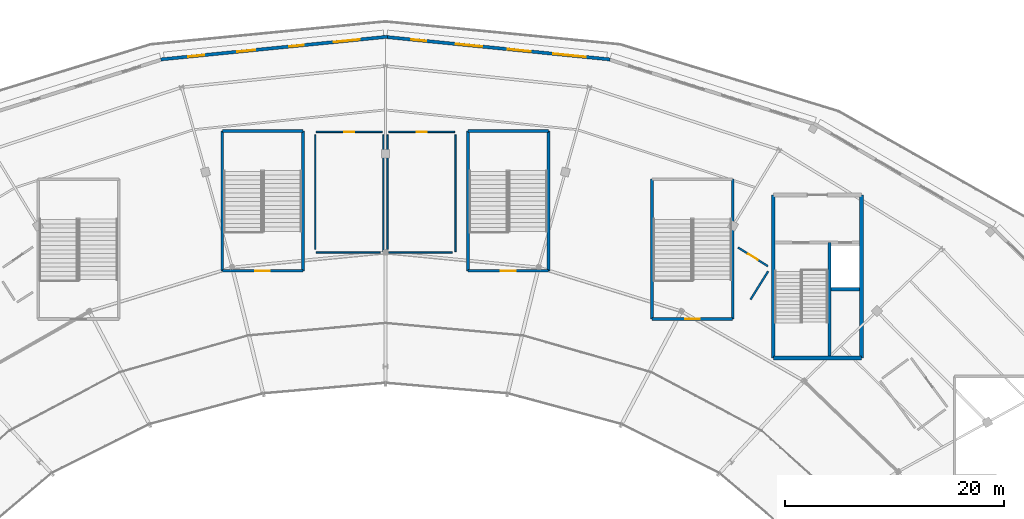
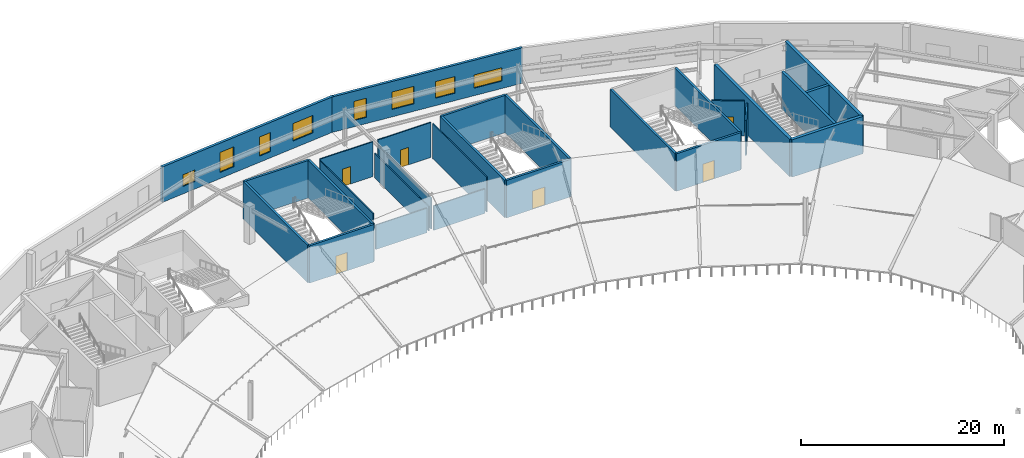
# One storey, part 38 of 63: 28 walls, 8 windows, 6 doors, 14 openings.
"""IFC4 building model written with IfcOpenShell, lengths in metres."""

from ifc_helpers import new_model, si_unit, direction, frame, frame_2d, origin, place, context, subcontext, project, spatial, rectangle, extrude, material, layer, layer_set, type_object, element, fill, save


model = new_model("IFC4")

# Units and contexts
model_context = context("Model", 3, precision=1e-05, world=origin(), true_north=direction((0.0, 1.0)))
body_context = subcontext(model_context, "Body", "Model", "MODEL_VIEW")
ifc_project = project(units=[si_unit("LENGTHUNIT", "METRE"), si_unit("AREAUNIT", "SQUARE_METRE"), si_unit("VOLUMEUNIT", "CUBIC_METRE"), si_unit("PLANEANGLEUNIT", "RADIAN"), si_unit("MASSUNIT", "GRAM", prefix="KILO")], contexts=[model_context])

# Site, building, storey
site_placement = place(None, origin())
site = spatial("IfcSite", under=ifc_project, at=site_placement, CompositionType="ELEMENT")
building_placement = place(site_placement, origin())
building = spatial("IfcBuilding", under=site, at=building_placement, Name="Kalgoora Escarpment Arena", CompositionType="ELEMENT")
storey_placement = place(building_placement, frame((0.0, 0.0, 14.39990234375)))
storey = spatial("IfcBuildingStorey", under=building, at=storey_placement, Name="L03", CompositionType="ELEMENT", Elevation=14.39990234375)

# Walls
ifc_material_1 = material(Name="Concrete N50 (fc' 50 MPa)", Category="concrete")
ifc_layer_1 = layer(ifc_material_1, 0.35009765625)
ifc_layer_set_1 = layer_set([ifc_layer_1], Name="WAL-CORE-350")
wall_type_1 = type_object("IfcWallType", Name="WAL-CORE-350", PredefinedType="SHEAR", material=ifc_layer_set_1)
wall_1_placement = place(storey_placement, frame((127.77490234375, 94.375, 0.0), z_axis=(0.0, 0.0, 1.0), x_axis=(1.0, 0.0, 0.0)))
element("IfcWall", 1, at=wall_1_placement, inside=storey, type_object=wall_type_1, Name="Core C4 L03 south shear wall", PredefinedType="SHEAR", context=body_context, shape_type="SweptSolid", body=[
    extrude(rectangle(XDim=8.050048828125, YDim=0.35009765625, at=frame_2d((4.02490234375, 0.0))), origin(), (0.0, 0.0, 1.0), 4.5),
])
for number, where, z_axis, x_axis, name in (
    (2, (127.77490234375, 94.375, 0.0), (0.0, 0.0, 1.0), (0.0, 1.0, 0.0), "Core C4 L03 west shear wall"),
    (3, (135.824951171875, 94.375, 0.0), (0.0, 0.0, 1.0), (0.0, 1.0, 0.0), "Core C4 L03 east shear wall"),
):
    element("IfcWall", number, at=place(storey_placement, frame(where, z_axis=z_axis, x_axis=x_axis)), inside=storey, type_object=wall_type_1, Name=name, PredefinedType="SHEAR", context=body_context, shape_type="SweptSolid", body=[
        extrude(rectangle(XDim=14.85009765625, YDim=0.35009765625, at=frame_2d((7.425048828125, 0.0))), origin(), (0.0, 0.0, 1.0), 4.5),
    ])

# Wall, openings, windows
ifc_material_2 = material(Name="Upper concourse insulated spandrel wall 40 MPa", Category="concrete")
ifc_layer_2 = layer(ifc_material_2, 0.2900390625)
ifc_layer_set_2 = layer_set([ifc_layer_2], Name="WAL-EXT-290")
wall_type_2 = type_object("IfcWallType", Name="WAL-EXT-290", PredefinedType="SOLIDWALL", material=ifc_layer_set_2)
wall_2_placement = place(storey_placement, frame((71.90380859375, 121.601318359375, 0.0), z_axis=(0.0, 0.0, 1.0), x_axis=(0.995020542998, 0.099670050731, 0.0)))
wall_2 = element("IfcWall", 4, at=wall_2_placement, inside=storey, type_object=wall_type_2, Name="L03 limestone-faced external wall 059", PredefinedType="SOLIDWALL", context=body_context, shape_type="SweptSolid", body=[
    extrude(rectangle(XDim=20.781494140625, YDim=0.2900390625, at=frame_2d((10.390625, 0.0))), origin(), (0.0, 0.0, 1.0), 4.260009765625),
])
opening_1_placement = place(wall_2_placement, frame((2.52490234375, 0.0, 0.89990234375)))
opening_1 = element("IfcOpeningElement", 5, at=opening_1_placement, cuts=wall_2, Name="Opening W-20", PredefinedType="OPENING", context=body_context, shape_type="SweptSolid", body=[
    extrude(rectangle(XDim=1.449951171875, YDim=1.39990234375, at=frame_2d((0.72509765625, 0.699951171875))), frame((0.0, 0.155029296875, 0.0), z_axis=(0.0, -1.0, 0.0), x_axis=(1.0, 0.0, 0.0)), (0.0, 0.0, 1.0), 0.31005859375),
])
opening_2_placement = place(wall_2_placement, frame((7.02490234375, 0.0, 0.75)))
opening_2 = element("IfcOpeningElement", 6, at=opening_2_placement, cuts=wall_2, Name="Opening W-02", PredefinedType="OPENING", context=body_context, shape_type="SweptSolid", body=[
    extrude(rectangle(XDim=1.64990234375, YDim=2.39990234375, at=frame_2d((0.824951171875, 1.199951171875))), frame((0.0, 0.155029296875, 0.0), z_axis=(0.0, -1.0, 0.0), x_axis=(1.0, 0.0, 0.0)), (0.0, 0.0, 1.0), 0.31005859375),
])
opening_3_placement = place(wall_2_placement, frame((11.77490234375, 0.0, 0.75)))
opening_3 = element("IfcOpeningElement", 7, at=opening_3_placement, cuts=wall_2, Name="Opening W-04", PredefinedType="OPENING", context=body_context, shape_type="SweptSolid", body=[
    extrude(rectangle(XDim=1.35009765625, YDim=2.300048828125, at=frame_2d((0.675048828125, 1.14990234375))), frame((0.0, 0.155029296875, 0.0), z_axis=(0.0, -1.0, 0.0), x_axis=(1.0, 0.0, 0.0)), (0.0, 0.0, 1.0), 0.31005859375),
])
opening_4_placement = place(wall_2_placement, frame((15.85009765625, 0.0, 0.89990234375)))
opening_4 = element("IfcOpeningElement", 8, at=opening_4_placement, cuts=wall_2, Name="Opening W-06", PredefinedType="OPENING", context=body_context, shape_type="SweptSolid", body=[
    extrude(rectangle(XDim=2.39990234375, YDim=2.10009765625, at=frame_2d((1.199951171875, 1.050048828125))), frame((0.0, 0.155029296875, 0.0), z_axis=(0.0, -1.0, 0.0), x_axis=(1.0, 0.0, 0.0)), (0.0, 0.0, 1.0), 0.31005859375),
])
ifc_material_3 = material(Name="Low-E solar-control double glazing in champagne frame", Category="glass")
window_type_1 = type_object("IfcWindowType", Name="WIN-BOH-1450x1400", PartitioningType="SINGLE_PANEL", PredefinedType="WINDOW", material=ifc_material_3)
window_1_placement = place(opening_1_placement, origin())
window_1 = element("IfcWindow", 9, at=window_1_placement, inside=storey, type_object=window_type_1, Name="L03 scheduled facade window 080", OverallHeight=1.39990234375, OverallWidth=1.449951171875, PartitioningType="SINGLE_PANEL", PredefinedType="WINDOW", context=body_context, shape_type="SweptSolid", body=[
    extrude(rectangle(XDim=1.449951171875, YDim=1.39990234375, at=frame_2d((0.72509765625, 0.699951171875))), frame((0.0, 0.030029296875, 0.0), z_axis=(0.0, -1.0, 0.0), x_axis=(1.0, 0.0, 0.0)), (0.0, 0.0, 1.0), 0.06005859375),
])
fill(opening_1, window_1)
ifc_material_4 = material(Name="Low-E solar-control double glazing in champagne frame", Category="glass")
window_type_2 = type_object("IfcWindowType", Name="WIN-DECO-1350x2300", PartitioningType="SINGLE_PANEL", PredefinedType="WINDOW", material=ifc_material_4)
window_2_placement = place(opening_3_placement, origin())
window_2 = element("IfcWindow", 10, at=window_2_placement, inside=storey, type_object=window_type_2, Name="L03 scheduled facade window 082", OverallHeight=2.300048828125, OverallWidth=1.35009765625, PartitioningType="SINGLE_PANEL", PredefinedType="WINDOW", context=body_context, shape_type="SweptSolid", body=[
    extrude(rectangle(XDim=1.35009765625, YDim=2.300048828125, at=frame_2d((0.675048828125, 1.14990234375))), frame((0.0, 0.030029296875, 0.0), z_axis=(0.0, -1.0, 0.0), x_axis=(1.0, 0.0, 0.0)), (0.0, 0.0, 1.0), 0.06005859375),
])
fill(opening_3, window_2)
ifc_material_5 = material(Name="Low-E solar-control double glazing in champagne frame", Category="glass")
window_type_3 = type_object("IfcWindowType", Name="WIN-DECO-1650x2400", PartitioningType="SINGLE_PANEL", PredefinedType="WINDOW", material=ifc_material_5)
window_3_placement = place(opening_2_placement, origin())
window_3 = element("IfcWindow", 11, at=window_3_placement, inside=storey, type_object=window_type_3, Name="L03 scheduled facade window 081", OverallHeight=2.39990234375, OverallWidth=1.64990234375, PartitioningType="SINGLE_PANEL", PredefinedType="WINDOW", context=body_context, shape_type="SweptSolid", body=[
    extrude(rectangle(XDim=1.64990234375, YDim=2.39990234375, at=frame_2d((0.824951171875, 1.199951171875))), frame((0.0, 0.030029296875, 0.0), z_axis=(0.0, -1.0, 0.0), x_axis=(1.0, 0.0, 0.0)), (0.0, 0.0, 1.0), 0.06005859375),
])
fill(opening_2, window_3)
ifc_material_6 = material(Name="Low-E solar-control double glazing in champagne frame", Category="glass")
window_type_4 = type_object("IfcWindowType", Name="WIN-DECO-2400x2100", PartitioningType="SINGLE_PANEL", PredefinedType="WINDOW", material=ifc_material_6)
window_4_placement = place(opening_4_placement, origin())
window_4 = element("IfcWindow", 12, at=window_4_placement, inside=storey, type_object=window_type_4, Name="L03 scheduled facade window 083", OverallHeight=2.10009765625, OverallWidth=2.39990234375, PartitioningType="SINGLE_PANEL", PredefinedType="WINDOW", context=body_context, shape_type="SweptSolid", body=[
    extrude(rectangle(XDim=2.39990234375, YDim=2.10009765625, at=frame_2d((1.199951171875, 1.050048828125))), frame((0.0, 0.030029296875, 0.0), z_axis=(0.0, -1.0, 0.0), x_axis=(1.0, 0.0, 0.0)), (0.0, 0.0, 1.0), 0.06005859375),
])
fill(opening_4, window_4)

wall_3_placement = place(storey_placement, frame((92.21826171875, 123.672607421875, 0.0), z_axis=(0.0, 0.0, 1.0), x_axis=(0.995020426289, -0.099671215838, 0.0)))
wall_3 = element("IfcWall", 13, at=wall_3_placement, inside=storey, type_object=wall_type_2, Name="L03 limestone-faced external wall 060", PredefinedType="SOLIDWALL", context=body_context, shape_type="SweptSolid", body=[
    extrude(rectangle(XDim=20.78125, YDim=0.2900390625, at=frame_2d((10.390625, 0.0))), origin(), (0.0, 0.0, 1.0), 4.260009765625),
])
opening_5_placement = place(wall_3_placement, frame((2.574951171875, 0.0, 0.75)))
opening_5 = element("IfcOpeningElement", 14, at=opening_5_placement, cuts=wall_3, Name="Opening W-04", PredefinedType="OPENING", context=body_context, shape_type="SweptSolid", body=[
    extrude(rectangle(XDim=1.35009765625, YDim=2.300048828125, at=frame_2d((0.675048828125, 1.14990234375))), frame((0.0, 0.155029296875, 0.0), z_axis=(0.0, -1.0, 0.0), x_axis=(1.0, 0.0, 0.0)), (0.0, 0.0, 1.0), 0.31005859375),
])
opening_6_placement = place(wall_3_placement, frame((6.64990234375, 0.0, 0.89990234375)))
opening_6 = element("IfcOpeningElement", 15, at=opening_6_placement, cuts=wall_3, Name="Opening W-06", PredefinedType="OPENING", context=body_context, shape_type="SweptSolid", body=[
    extrude(rectangle(XDim=2.39990234375, YDim=2.10009765625, at=frame_2d((1.199951171875, 1.050048828125))), frame((0.0, 0.155029296875, 0.0), z_axis=(0.0, -1.0, 0.0), x_axis=(1.0, 0.0, 0.0)), (0.0, 0.0, 1.0), 0.31005859375),
])
opening_7_placement = place(wall_3_placement, frame((11.39990234375, 0.0, 0.89990234375)))
opening_7 = element("IfcOpeningElement", 16, at=opening_7_placement, cuts=wall_3, Name="Opening W-08", PredefinedType="OPENING", context=body_context, shape_type="SweptSolid", body=[
    extrude(rectangle(XDim=2.10009765625, YDim=2.0, at=frame_2d((1.050048828125, 1.0))), frame((0.0, 0.155029296875, 0.0), z_axis=(0.0, -1.0, 0.0), x_axis=(1.0, 0.0, 0.0)), (0.0, 0.0, 1.0), 0.31005859375),
])
opening_8_placement = place(wall_3_placement, frame((15.550048828125, 0.0, 0.89990234375)))
opening_8 = element("IfcOpeningElement", 17, at=opening_8_placement, cuts=wall_3, Name="Opening W-10", PredefinedType="OPENING", context=body_context, shape_type="SweptSolid", body=[
    extrude(rectangle(XDim=3.0, YDim=1.60009765625, at=frame_2d((1.5, 0.800048828125))), frame((0.0, 0.155029296875, 0.0), z_axis=(0.0, -1.0, 0.0), x_axis=(1.0, 0.0, 0.0)), (0.0, 0.0, 1.0), 0.31005859375),
])
ifc_material_7 = material(Name="Low-E solar-control double glazing in champagne frame", Category="glass")
window_type_5 = type_object("IfcWindowType", Name="WIN-BAND-3000x1600", PartitioningType="SINGLE_PANEL", PredefinedType="WINDOW", material=ifc_material_7)
window_5_placement = place(opening_8_placement, origin())
window_5 = element("IfcWindow", 18, at=window_5_placement, inside=storey, type_object=window_type_5, Name="L03 scheduled facade window 087", OverallHeight=1.60009765625, OverallWidth=3.0, PartitioningType="SINGLE_PANEL", PredefinedType="WINDOW", context=body_context, shape_type="SweptSolid", body=[
    extrude(rectangle(XDim=3.0, YDim=1.60009765625, at=frame_2d((1.5, 0.800048828125))), frame((0.0, 0.030029296875, 0.0), z_axis=(0.0, -1.0, 0.0), x_axis=(1.0, 0.0, 0.0)), (0.0, 0.0, 1.0), 0.06005859375),
])
fill(opening_8, window_5)
window_6_placement = place(opening_5_placement, origin())
window_6 = element("IfcWindow", 19, at=window_6_placement, inside=storey, type_object=window_type_2, Name="L03 scheduled facade window 084", OverallHeight=2.300048828125, OverallWidth=1.35009765625, PartitioningType="SINGLE_PANEL", PredefinedType="WINDOW", context=body_context, shape_type="SweptSolid", body=[
    extrude(rectangle(XDim=1.35009765625, YDim=2.300048828125, at=frame_2d((0.675048828125, 1.14990234375))), frame((0.0, 0.030029296875, 0.0), z_axis=(0.0, -1.0, 0.0), x_axis=(1.0, 0.0, 0.0)), (0.0, 0.0, 1.0), 0.06005859375),
])
fill(opening_5, window_6)
ifc_material_8 = material(Name="Low-E solar-control double glazing in champagne frame", Category="glass")
window_type_6 = type_object("IfcWindowType", Name="WIN-DECO-2100x2000", PartitioningType="SINGLE_PANEL", PredefinedType="WINDOW", material=ifc_material_8)
window_7_placement = place(opening_7_placement, origin())
window_7 = element("IfcWindow", 20, at=window_7_placement, inside=storey, type_object=window_type_6, Name="L03 scheduled facade window 086", OverallHeight=2.0, OverallWidth=2.10009765625, PartitioningType="SINGLE_PANEL", PredefinedType="WINDOW", context=body_context, shape_type="SweptSolid", body=[
    extrude(rectangle(XDim=2.10009765625, YDim=2.0, at=frame_2d((1.050048828125, 1.0))), frame((0.0, 0.030029296875, 0.0), z_axis=(0.0, -1.0, 0.0), x_axis=(1.0, 0.0, 0.0)), (0.0, 0.0, 1.0), 0.06005859375),
])
fill(opening_7, window_7)
window_8_placement = place(opening_6_placement, origin())
window_8 = element("IfcWindow", 21, at=window_8_placement, inside=storey, type_object=window_type_4, Name="L03 scheduled facade window 085", OverallHeight=2.10009765625, OverallWidth=2.39990234375, PartitioningType="SINGLE_PANEL", PredefinedType="WINDOW", context=body_context, shape_type="SweptSolid", body=[
    extrude(rectangle(XDim=2.39990234375, YDim=2.10009765625, at=frame_2d((1.199951171875, 1.050048828125))), frame((0.0, 0.030029296875, 0.0), z_axis=(0.0, -1.0, 0.0), x_axis=(1.0, 0.0, 0.0)), (0.0, 0.0, 1.0), 0.06005859375),
])
fill(opening_6, window_8)

# Walls
ifc_material_9 = material(Name="Concrete N50 (fc' 50 MPa)", Category="concrete")
ifc_layer_3 = layer(ifc_material_9, 0.300048828125)
ifc_layer_set_3 = layer_set([ifc_layer_3], Name="WAL-SHAFT-300")
wall_type_3 = type_object("IfcWallType", Name="WAL-SHAFT-300", PredefinedType="SHEAR", material=ifc_layer_set_3)
wall_4_placement = place(storey_placement, frame((132.89990234375, 94.550048828125, 0.0), z_axis=(0.0, 0.0, 1.0), x_axis=(0.0, 1.0, 0.0)))
element("IfcWall", 22, at=wall_4_placement, inside=storey, type_object=wall_type_3, Name="Core C4 L03 stair-lift spine wall", PredefinedType="SHEAR", context=body_context, shape_type="SweptSolid", body=[
    extrude(rectangle(XDim=10.349853515625, YDim=0.300048828125, at=frame_2d((5.1748046875, 0.0))), origin(), (0.0, 0.0, 1.0), 4.5),
])
wall_5_placement = place(storey_placement, frame((133.050048828125, 100.64990234375, 0.0), z_axis=(0.0, 0.0, 1.0), x_axis=(1.0, 0.0, 0.0)))
element("IfcWall", 23, at=wall_5_placement, inside=storey, type_object=wall_type_3, Name="Core C4 L03 lift-riser divider wall", PredefinedType="SHEAR", context=body_context, shape_type="SweptSolid", body=[
    extrude(rectangle(XDim=2.599853515625, YDim=0.300048828125, at=frame_2d((1.2998046875, 0.0))), origin(), (0.0, 0.0, 1.0), 4.5),
])

# Wall, opening, door
ifc_material_10 = material(Name="Concrete N50 (fc' 50 MPa)", Category="concrete")
ifc_layer_4 = layer(ifc_material_10, 0.25)
ifc_layer_set_4 = layer_set([ifc_layer_4], Name="WAL-STAIR-250")
wall_type_4 = type_object("IfcWallType", Name="WAL-STAIR-250", PredefinedType="SHEAR", material=ifc_layer_set_4)
wall_6_placement = place(storey_placement, frame((77.52490234375, 102.324951171875, 0.0), z_axis=(0.0, 0.0, 1.0), x_axis=(1.0, 0.0, 0.0)))
wall_6 = element("IfcWall", 24, at=wall_6_placement, inside=storey, type_object=wall_type_4, Name="Exit stair ST10 L03 south wall", PredefinedType="SHEAR", context=body_context, shape_type="SweptSolid", body=[
    extrude(rectangle(XDim=7.35009765625, YDim=0.25, at=frame_2d((3.675048828125, 0.0))), origin(), (0.0, 0.0, 1.0), 4.5),
])
opening_9_placement = place(wall_6_placement, frame((3.014892578125, 0.0, 0.0)))
opening_9 = element("IfcOpeningElement", 25, at=opening_9_placement, cuts=wall_6, Name="Opening FD-ST10", PredefinedType="OPENING", context=body_context, shape_type="SweptSolid", body=[
    extrude(rectangle(XDim=1.320068359375, YDim=2.199951171875, at=frame_2d((0.66015625, 1.10009765625))), frame((0.0, 0.135009765625, 0.0), z_axis=(0.0, -1.0, 0.0), x_axis=(1.0, 0.0, 0.0)), (0.0, 0.0, 1.0), 0.27001953125),
])
ifc_material_11 = material(Name="Fire-rated steel stair leaf with vision panel", Category="steel")
door_type_1 = type_object("IfcDoorType", Name="DR-STAIR-1320", OperationType="NOTDEFINED", PredefinedType="DOOR", material=ifc_material_11)
door_1_placement = place(opening_9_placement, origin())
door_1 = element("IfcDoor", 26, at=door_1_placement, inside=storey, type_object=door_type_1, Name="Fire-isolated stair ST10 L03 egress door", OperationType="SINGLE_SWING_LEFT", OverallHeight=2.199951171875, OverallWidth=1.320068359375, PredefinedType="DOOR", context=body_context, shape_type="SweptSolid", body=[
    extrude(rectangle(XDim=1.320068359375, YDim=2.199951171875, at=frame_2d((0.66015625, 1.10009765625))), frame((0.0, 0.02490234375, 0.0), z_axis=(0.0, -1.0, 0.0), x_axis=(1.0, 0.0, 0.0)), (0.0, 0.0, 1.0), 0.050048828125),
])
fill(opening_9, door_1)

# Walls
wall_7_placement = place(storey_placement, frame((77.52490234375, 115.074951171875, 0.0), z_axis=(0.0, 0.0, 1.0), x_axis=(1.0, 0.0, 0.0)))
element("IfcWall", 27, at=wall_7_placement, inside=storey, type_object=wall_type_4, Name="Exit stair ST10 L03 north wall", PredefinedType="SHEAR", context=body_context, shape_type="SweptSolid", body=[
    extrude(rectangle(XDim=7.35009765625, YDim=0.25, at=frame_2d((3.675048828125, 0.0))), origin(), (0.0, 0.0, 1.0), 4.5),
])
for number, where, z_axis, x_axis, name in (
    (28, (77.52490234375, 102.324951171875, 0.0), (0.0, 0.0, 1.0), (0.0, 1.0, 0.0), "Exit stair ST10 L03 west wall"),
    (29, (84.875, 102.324951171875, 0.0), (0.0, 0.0, 1.0), (0.0, 1.0, 0.0), "Exit stair ST10 L03 east wall"),
):
    element("IfcWall", number, at=place(storey_placement, frame(where, z_axis=z_axis, x_axis=x_axis)), inside=storey, type_object=wall_type_4, Name=name, PredefinedType="SHEAR", context=body_context, shape_type="SweptSolid", body=[
        extrude(rectangle(XDim=12.75, YDim=0.25, at=frame_2d((6.375, 0.0))), origin(), (0.0, 0.0, 1.0), 4.5),
    ])

# Wall, opening, door
wall_8_placement = place(storey_placement, frame((99.925048828125, 102.324951171875, 0.0), z_axis=(0.0, 0.0, 1.0), x_axis=(1.0, 0.0, 0.0)))
wall_8 = element("IfcWall", 30, at=wall_8_placement, inside=storey, type_object=wall_type_4, Name="Exit stair ST11 L03 south wall", PredefinedType="SHEAR", context=body_context, shape_type="SweptSolid", body=[
    extrude(rectangle(XDim=7.349853515625, YDim=0.25, at=frame_2d((3.6748046875, 0.0))), origin(), (0.0, 0.0, 1.0), 4.5),
])
opening_10_placement = place(wall_8_placement, frame((2.97509765625, 0.0, 0.0)))
opening_10 = element("IfcOpeningElement", 31, at=opening_10_placement, cuts=wall_8, Name="Opening FD-ST11", PredefinedType="OPENING", context=body_context, shape_type="SweptSolid", body=[
    extrude(rectangle(XDim=1.39990234375, YDim=2.199951171875, at=frame_2d((0.699951171875, 1.10009765625))), frame((0.0, 0.135009765625, 0.0), z_axis=(0.0, -1.0, 0.0), x_axis=(1.0, 0.0, 0.0)), (0.0, 0.0, 1.0), 0.27001953125),
])
ifc_material_12 = material(Name="Fire-rated steel stair leaf with vision panel", Category="steel")
door_type_2 = type_object("IfcDoorType", Name="DR-STAIR-1400", OperationType="NOTDEFINED", PredefinedType="DOOR", material=ifc_material_12)
door_2_placement = place(opening_10_placement, origin())
door_2 = element("IfcDoor", 32, at=door_2_placement, inside=storey, type_object=door_type_2, Name="Fire-isolated stair ST11 L03 egress door", OperationType="SINGLE_SWING_RIGHT", OverallHeight=2.199951171875, OverallWidth=1.39990234375, PredefinedType="DOOR", context=body_context, shape_type="SweptSolid", body=[
    extrude(rectangle(XDim=1.39990234375, YDim=2.199951171875, at=frame_2d((0.699951171875, 1.10009765625))), frame((0.0, 0.02490234375, 0.0), z_axis=(0.0, -1.0, 0.0), x_axis=(1.0, 0.0, 0.0)), (0.0, 0.0, 1.0), 0.050048828125),
])
fill(opening_10, door_2)

# Walls
wall_9_placement = place(storey_placement, frame((99.925048828125, 115.074951171875, 0.0), z_axis=(0.0, 0.0, 1.0), x_axis=(1.0, 0.0, 0.0)))
element("IfcWall", 33, at=wall_9_placement, inside=storey, type_object=wall_type_4, Name="Exit stair ST11 L03 north wall", PredefinedType="SHEAR", context=body_context, shape_type="SweptSolid", body=[
    extrude(rectangle(XDim=7.349853515625, YDim=0.25, at=frame_2d((3.6748046875, 0.0))), origin(), (0.0, 0.0, 1.0), 4.5),
])
for number, where, z_axis, x_axis, name in (
    (34, (99.925048828125, 102.324951171875, 0.0), (0.0, 0.0, 1.0), (0.0, 1.0, 0.0), "Exit stair ST11 L03 west wall"),
    (35, (107.27490234375, 102.324951171875, 0.0), (0.0, 0.0, 1.0), (0.0, 1.0, 0.0), "Exit stair ST11 L03 east wall"),
):
    element("IfcWall", number, at=place(storey_placement, frame(where, z_axis=z_axis, x_axis=x_axis)), inside=storey, type_object=wall_type_4, Name=name, PredefinedType="SHEAR", context=body_context, shape_type="SweptSolid", body=[
        extrude(rectangle(XDim=12.75, YDim=0.25, at=frame_2d((6.375, 0.0))), origin(), (0.0, 0.0, 1.0), 4.5),
    ])

# Wall, opening, door
wall_10_placement = place(storey_placement, frame((116.72509765625, 97.925048828125, 0.0), z_axis=(0.0, 0.0, 1.0), x_axis=(1.0, 0.0, 0.0)))
wall_10 = element("IfcWall", 36, at=wall_10_placement, inside=storey, type_object=wall_type_4, Name="Exit stair ST12 L03 south wall", PredefinedType="SHEAR", context=body_context, shape_type="SweptSolid", body=[
    extrude(rectangle(XDim=7.349853515625, YDim=0.25, at=frame_2d((3.6748046875, 0.0))), origin(), (0.0, 0.0, 1.0), 4.5),
])
opening_11_placement = place(wall_10_placement, frame((3.014892578125, 0.0, 0.0)))
opening_11 = element("IfcOpeningElement", 37, at=opening_11_placement, cuts=wall_10, Name="Opening FD-ST12", PredefinedType="OPENING", context=body_context, shape_type="SweptSolid", body=[
    extrude(rectangle(XDim=1.320068359375, YDim=2.199951171875, at=frame_2d((0.66015625, 1.10009765625))), frame((0.0, 0.135009765625, 0.0), z_axis=(0.0, -1.0, 0.0), x_axis=(1.0, 0.0, 0.0)), (0.0, 0.0, 1.0), 0.27001953125),
])
door_3_placement = place(opening_11_placement, origin())
door_3 = element("IfcDoor", 38, at=door_3_placement, inside=storey, type_object=door_type_1, Name="Fire-isolated stair ST12 L03 egress door", OperationType="SINGLE_SWING_LEFT", OverallHeight=2.199951171875, OverallWidth=1.320068359375, PredefinedType="DOOR", context=body_context, shape_type="SweptSolid", body=[
    extrude(rectangle(XDim=1.320068359375, YDim=2.199951171875, at=frame_2d((0.66015625, 1.10009765625))), frame((0.0, 0.02490234375, 0.0), z_axis=(0.0, -1.0, 0.0), x_axis=(1.0, 0.0, 0.0)), (0.0, 0.0, 1.0), 0.050048828125),
])
fill(opening_11, door_3)

# Walls
for number, where, z_axis, x_axis, name in (
    (39, (116.72509765625, 97.925048828125, 0.0), (0.0, 0.0, 1.0), (0.0, 1.0, 0.0), "Exit stair ST12 L03 west wall"),
    (40, (124.074951171875, 97.925048828125, 0.0), (0.0, 0.0, 1.0), (0.0, 1.0, 0.0), "Exit stair ST12 L03 east wall"),
):
    element("IfcWall", number, at=place(storey_placement, frame(where, z_axis=z_axis, x_axis=x_axis)), inside=storey, type_object=wall_type_4, Name=name, PredefinedType="SHEAR", context=body_context, shape_type="SweptSolid", body=[
        extrude(rectangle(XDim=12.75, YDim=0.25, at=frame_2d((6.375, 0.0))), origin(), (0.0, 0.0, 1.0), 4.5),
    ])
ifc_material_13 = material(Name="Twin-stud acoustic plasterboard FRL -/60/60", Category="gypsum")
ifc_layer_5 = layer(ifc_material_13, 0.175048828125)
ifc_layer_set_5 = layer_set([ifc_layer_5], Name="WAL-SUITE-175")
wall_type_5 = type_object("IfcWallType", Name="WAL-SUITE-175", PredefinedType="PARTITIONING", material=ifc_layer_set_5)
wall_11_placement = place(storey_placement, frame((127.3125, 102.28173828125, 0.0), z_axis=(0.0, 0.0, 1.0), x_axis=(-0.529861863613, -0.848083961344, 0.0)))
element("IfcWall", 41, at=wall_11_placement, inside=storey, type_object=wall_type_5, Name="L03 Hospitality Suite HS25 partition wall", PredefinedType="PARTITIONING", context=body_context, shape_type="SweptSolid", body=[
    extrude(rectangle(XDim=3.0419921875, YDim=0.175048828125, at=frame_2d((1.52099609375, 0.0))), origin(), (0.0, 0.0, 1.0), 4.2001953125),
])

# Wall, opening, door
wall_12_placement = place(storey_placement, frame((124.562744140625, 104.44580078125, 0.0), z_axis=(0.0, 0.0, 1.0), x_axis=(0.848045264823, -0.529923795287, 0.0)))
wall_12 = element("IfcWall", 42, at=wall_12_placement, inside=storey, type_object=wall_type_5, Name="L03 Hospitality Suite HS25 partition wall", PredefinedType="PARTITIONING", context=body_context, shape_type="SweptSolid", body=[
    extrude(rectangle(XDim=3.21240234375, YDim=0.175048828125, at=frame_2d((1.606201171875, 0.0))), origin(), (0.0, 0.0, 1.0), 4.2001953125),
])
opening_12_placement = place(wall_12_placement, frame((1.081298828125, 0.0, 0.0)))
opening_12 = element("IfcOpeningElement", 43, at=opening_12_placement, cuts=wall_12, Name="Opening FD-I110", PredefinedType="OPENING", context=body_context, shape_type="SweptSolid", body=[
    extrude(rectangle(XDim=1.050048828125, YDim=2.25, at=frame_2d((0.52490234375, 1.125))), frame((0.0, 0.097412109375, 0.0), z_axis=(0.0, -1.0, 0.0), x_axis=(1.0, 0.0, 0.0)), (0.0, 0.0, 1.0), 0.195068359375),
])
ifc_material_14 = material(Name="Veneered timber acoustic suite entrance door", Category="wood")
door_type_3 = type_object("IfcDoorType", Name="DR-SUITE-1050", OperationType="NOTDEFINED", PredefinedType="DOOR", material=ifc_material_14)
door_4_placement = place(opening_12_placement, origin())
door_4 = element("IfcDoor", 44, at=door_4_placement, inside=storey, type_object=door_type_3, Name="Hospitality Suite HS25 entrance door", OperationType="SINGLE_SWING_RIGHT", OverallHeight=2.25, OverallWidth=1.050048828125, PredefinedType="DOOR", context=body_context, shape_type="SweptSolid", body=[
    extrude(rectangle(XDim=1.050048828125, YDim=2.25, at=frame_2d((0.52490234375, 1.125))), frame((0.0, 0.02490234375, 0.0), z_axis=(0.0, -1.0, 0.0), x_axis=(1.0, 0.0, 0.0)), (0.0, 0.0, 1.0), 0.050048828125),
])
fill(opening_12, door_4)

ifc_material_15 = material(Name="Moisture-resistant wet-area partition", Category="gypsum")
ifc_layer_6 = layer(ifc_material_15, 0.125)
ifc_layer_set_6 = layer_set([ifc_layer_6], Name="WAL-WC-125")
wall_type_6 = type_object("IfcWallType", Name="WAL-WC-125", PredefinedType="PARTITIONING", material=ifc_layer_set_6)
wall_13_placement = place(storey_placement, frame((86.080078125, 115.0, 0.0), z_axis=(0.0, 0.0, 1.0), x_axis=(1.0, 0.0, 0.0)))
wall_13 = element("IfcWall", 45, at=wall_13_placement, inside=storey, type_object=wall_type_6, Name="L03 Upper Concourse Male WC partition wall", PredefinedType="PARTITIONING", context=body_context, shape_type="SweptSolid", body=[
    extrude(rectangle(XDim=6.0400390625, YDim=0.125, at=frame_2d((3.02001953125, 0.0))), origin(), (0.0, 0.0, 1.0), 4.190185546875),
])
opening_13_placement = place(wall_13_placement, frame((2.544921875, 0.0, 0.0)))
opening_13 = element("IfcOpeningElement", 46, at=opening_13_placement, cuts=wall_13, Name="Opening D-I126", PredefinedType="OPENING", context=body_context, shape_type="SweptSolid", body=[
    extrude(rectangle(XDim=0.949951171875, YDim=2.10009765625, at=frame_2d((0.47509765625, 1.050048828125))), frame((0.0, 0.072509765625, 0.0), z_axis=(0.0, -1.0, 0.0), x_axis=(1.0, 0.0, 0.0)), (0.0, 0.0, 1.0), 0.14501953125),
])
ifc_material_16 = material(Name="Moisture-resistant laminate accessible WC door")
door_type_4 = type_object("IfcDoorType", Name="DR-WC-0950", OperationType="NOTDEFINED", PredefinedType="DOOR", material=ifc_material_16)
door_5_placement = place(opening_13_placement, origin())
door_5 = element("IfcDoor", 47, at=door_5_placement, inside=storey, type_object=door_type_4, Name="Upper Concourse Male WC entrance door", OperationType="SINGLE_SWING_LEFT", OverallHeight=2.10009765625, OverallWidth=0.949951171875, PredefinedType="DOOR", context=body_context, shape_type="SweptSolid", body=[
    extrude(rectangle(XDim=0.949951171875, YDim=2.10009765625, at=frame_2d((0.47509765625, 1.050048828125))), frame((0.0, 0.02490234375, 0.0), z_axis=(0.0, -1.0, 0.0), x_axis=(1.0, 0.0, 0.0)), (0.0, 0.0, 1.0), 0.050048828125),
])
fill(opening_13, door_5)

# Walls
wall_14_placement = place(storey_placement, frame((92.199951171875, 114.715087890625, 0.0), z_axis=(0.0, 0.0, 1.0), x_axis=(0.0, -1.0, 0.0)))
element("IfcWall", 48, at=wall_14_placement, inside=storey, type_object=wall_type_6, Name="L03 Upper Concourse Male WC partition wall", PredefinedType="PARTITIONING", context=body_context, shape_type="SweptSolid", body=[
    extrude(rectangle(XDim=10.635009765625, YDim=0.125, at=frame_2d((5.3173828125, 0.0))), origin(), (0.0, 0.0, 1.0), 2.943115234375),
])
wall_15_placement = place(storey_placement, frame((91.915283203125, 104.0, 0.0), z_axis=(0.0, 0.0, 1.0), x_axis=(-1.0, 0.0, 0.0)))
element("IfcWall", 49, at=wall_15_placement, inside=storey, type_object=wall_type_6, Name="L03 Upper Concourse Male WC partition wall", PredefinedType="PARTITIONING", context=body_context, shape_type="SweptSolid", body=[
    extrude(rectangle(XDim=5.835205078125, YDim=0.125, at=frame_2d((2.91748046875, 0.0))), origin(), (0.0, 0.0, 1.0), 2.943115234375),
])
wall_16_placement = place(storey_placement, frame((86.0, 104.284912109375, 0.0), z_axis=(0.0, 0.0, 1.0), x_axis=(0.0, 1.0, 0.0)))
element("IfcWall", 50, at=wall_16_placement, inside=storey, type_object=wall_type_6, Name="L03 Upper Concourse Male WC partition wall", PredefinedType="PARTITIONING", context=body_context, shape_type="SweptSolid", body=[
    extrude(rectangle(XDim=10.43017578125, YDim=0.125, at=frame_2d((5.215087890625, 0.0))), origin(), (0.0, 0.0, 1.0), 4.190185546875),
])

# Wall, opening, door
wall_17_placement = place(storey_placement, frame((92.679931640625, 115.0, 0.0), z_axis=(0.0, 0.0, 1.0), x_axis=(1.0, 0.0, 0.0)))
wall_17 = element("IfcWall", 51, at=wall_17_placement, inside=storey, type_object=wall_type_6, Name="L03 Upper Concourse Female WC partition wall", PredefinedType="PARTITIONING", context=body_context, shape_type="SweptSolid", body=[
    extrude(rectangle(XDim=6.0400390625, YDim=0.125, at=frame_2d((3.02001953125, 0.0))), origin(), (0.0, 0.0, 1.0), 4.2001953125),
])
opening_14_placement = place(wall_17_placement, frame((2.56005859375, 0.0, 0.0)))
opening_14 = element("IfcOpeningElement", 52, at=opening_14_placement, cuts=wall_17, Name="Opening D-I127", PredefinedType="OPENING", context=body_context, shape_type="SweptSolid", body=[
    extrude(rectangle(XDim=0.919921875, YDim=2.10009765625, at=frame_2d((0.4599609375, 1.050048828125))), frame((0.0, 0.072509765625, 0.0), z_axis=(0.0, -1.0, 0.0), x_axis=(1.0, 0.0, 0.0)), (0.0, 0.0, 1.0), 0.14501953125),
])
ifc_material_17 = material(Name="Moisture-resistant laminate WC door")
door_type_5 = type_object("IfcDoorType", Name="DR-WC-0920", OperationType="NOTDEFINED", PredefinedType="DOOR", material=ifc_material_17)
door_6_placement = place(opening_14_placement, origin())
door_6 = element("IfcDoor", 53, at=door_6_placement, inside=storey, type_object=door_type_5, Name="Upper Concourse Female WC entrance door", OperationType="SINGLE_SWING_RIGHT", OverallHeight=2.10009765625, OverallWidth=0.919921875, PredefinedType="DOOR", context=body_context, shape_type="SweptSolid", body=[
    extrude(rectangle(XDim=0.919921875, YDim=2.10009765625, at=frame_2d((0.4599609375, 1.050048828125))), frame((0.0, 0.02490234375, 0.0), z_axis=(0.0, -1.0, 0.0), x_axis=(1.0, 0.0, 0.0)), (0.0, 0.0, 1.0), 0.050048828125),
])
fill(opening_14, door_6)

# Walls
wall_18_placement = place(storey_placement, frame((98.800048828125, 114.715087890625, 0.0), z_axis=(0.0, 0.0, 1.0), x_axis=(0.0, -1.0, 0.0)))
element("IfcWall", 54, at=wall_18_placement, inside=storey, type_object=wall_type_6, Name="L03 Upper Concourse Female WC partition wall", PredefinedType="PARTITIONING", context=body_context, shape_type="SweptSolid", body=[
    extrude(rectangle(XDim=10.635009765625, YDim=0.125, at=frame_2d((5.3173828125, 0.0))), origin(), (0.0, 0.0, 1.0), 4.2001953125),
])
wall_19_placement = place(storey_placement, frame((98.51513671875, 104.0, 0.0), z_axis=(0.0, 0.0, 1.0), x_axis=(-1.0, 0.0, 0.0)))
element("IfcWall", 55, at=wall_19_placement, inside=storey, type_object=wall_type_6, Name="L03 Upper Concourse Female WC partition wall", PredefinedType="PARTITIONING", context=body_context, shape_type="SweptSolid", body=[
    extrude(rectangle(XDim=5.835205078125, YDim=0.125, at=frame_2d((2.91748046875, 0.0))), origin(), (0.0, 0.0, 1.0), 2.943115234375),
])
wall_20_placement = place(storey_placement, frame((92.60009765625, 104.284912109375, 0.0), z_axis=(0.0, 0.0, 1.0), x_axis=(0.0, 1.0, 0.0)))
element("IfcWall", 56, at=wall_20_placement, inside=storey, type_object=wall_type_6, Name="L03 Upper Concourse Female WC partition wall", PredefinedType="PARTITIONING", context=body_context, shape_type="SweptSolid", body=[
    extrude(rectangle(XDim=10.43017578125, YDim=0.125, at=frame_2d((5.215087890625, 0.0))), origin(), (0.0, 0.0, 1.0), 3.705078125),
])

save(model, "model.ifc")
